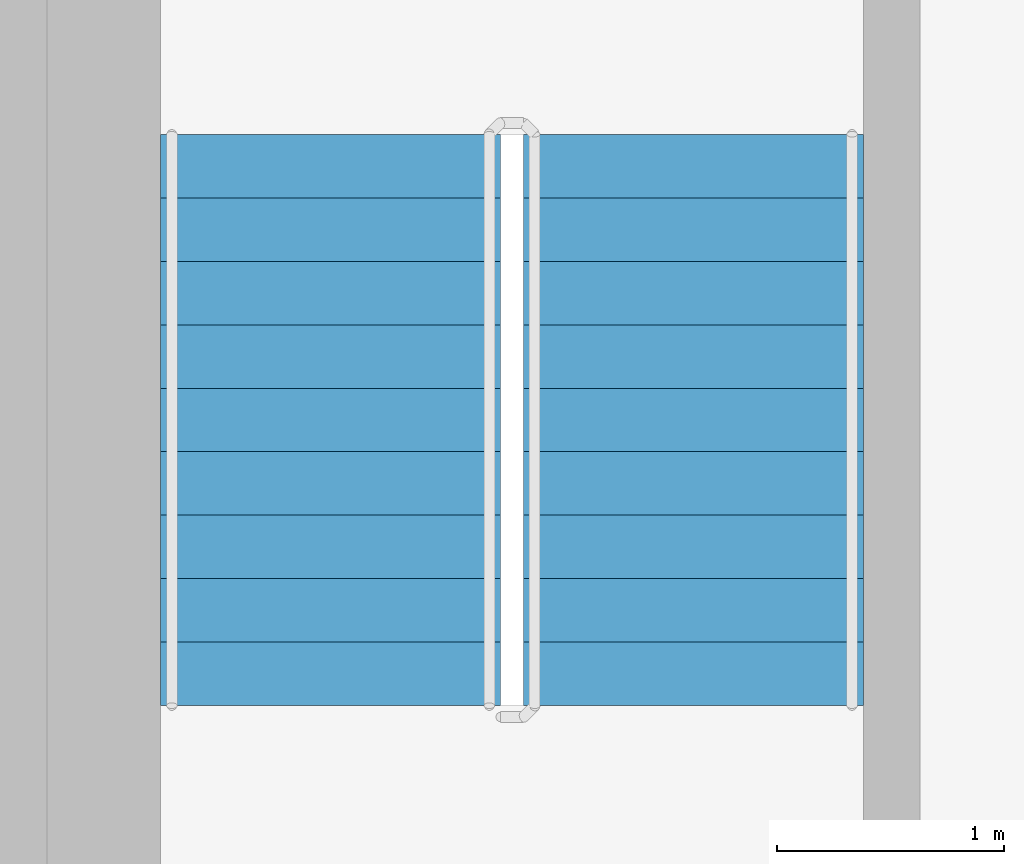
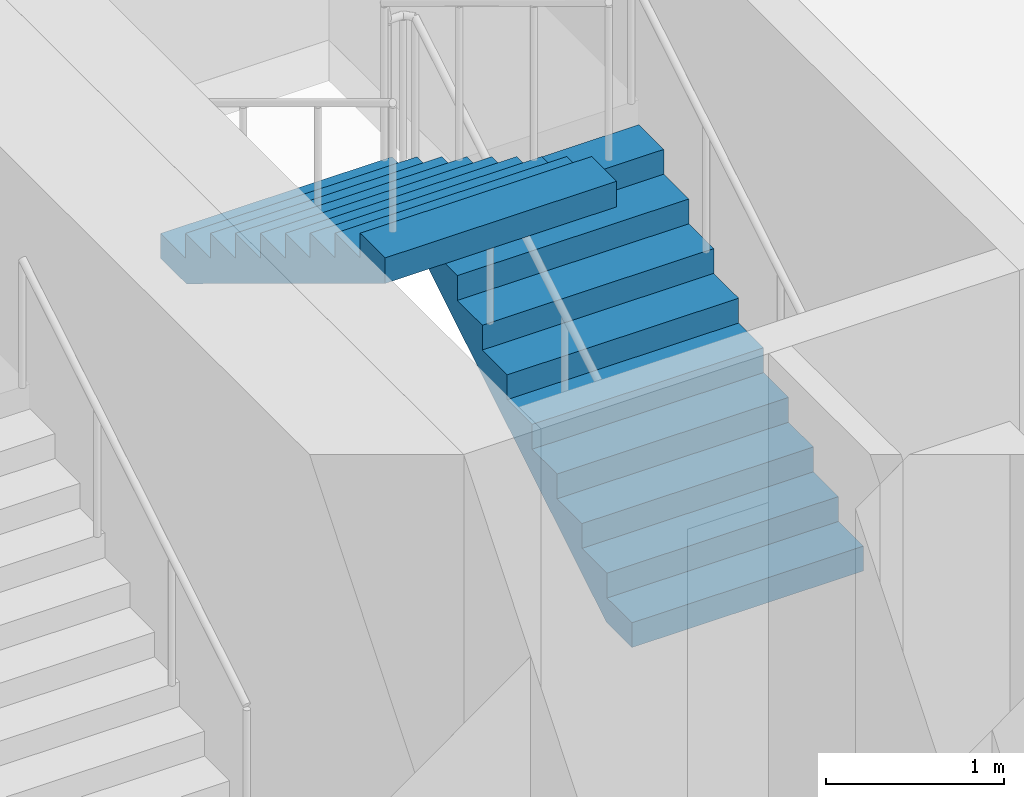
# One storey, part 13 of 21: 2 stair flights, 1 element without a shape of its own.
"""IFC4 building model written with IfcOpenShell, lengths in metres."""

from ifc_helpers import new_model, si_unit, direction, frame, origin, place, context, subcontext, project, spatial, triangles, source, transform, mapped, material, type_object, element, aggregate, save


model = new_model("IFC4")

# Units and contexts
model_context = context("Model", 3, precision=1e-05, world=origin(), true_north=direction((0.0, 1.0)))
body_context = subcontext(model_context, "Body", "Model", "MODEL_VIEW")
ifc_project = project(units=[si_unit("LENGTHUNIT", "METRE"), si_unit("AREAUNIT", "SQUARE_METRE"), si_unit("VOLUMEUNIT", "CUBIC_METRE"), si_unit("PLANEANGLEUNIT", "RADIAN"), si_unit("MASSUNIT", "GRAM", prefix="KILO")], contexts=[model_context])

# Site, building, storey
site_placement = place(None, origin())
site = spatial("IfcSite", under=ifc_project, at=site_placement, CompositionType="ELEMENT")
building_placement = place(site_placement, origin())
building = spatial("IfcBuilding", under=site, at=building_placement, Name="Kilnfold Tower and Market Hall", CompositionType="ELEMENT")
storey_placement = place(building_placement, frame((0.0, 0.0, 210.10009765625)))
storey = spatial("IfcBuildingStorey", under=building, at=storey_placement, Name="L51", CompositionType="ELEMENT", Elevation=210.10009765625)

# Stair, stair flights
ifc_material_1 = material(Name="Concrete C40/50", Category="concrete")
stair_type = type_object("IfcStairType", Name="CORE STAIR 1500", PredefinedType="HALF_TURN_STAIR", material=ifc_material_1)
stair_placement = place(storey_placement, origin())
stair = element("IfcStair", 1, at=stair_placement, inside=storey, type_object=stair_type, Name="L51 ST5", PredefinedType="HALF_TURN_STAIR")
ifc_material_2 = material(Name="Concrete C40/50", Category="concrete")
stair_flight_type = type_object("IfcStairFlightType", Name="CORE STAIR FLIGHT 1500", PredefinedType="STRAIGHT", material=ifc_material_2)
shared_shape = source(origin(), body_context, "Body", "Tessellation", [
    triangles([(0.0, 0.75, 0.0), (0.0, 0.65625, 0.0), (0.0, 0.5625, 0.0), (0.0, 0.46875, 0.0), (0.0, 0.375, 0.0), (0.0, 0.28125, 0.0), (0.0, 0.1875, 0.0), (0.0, 0.09375, 0.0), (0.0, 0.0, 0.0), (0.0, -0.09375, 0.0), (0.0, -0.1875, 0.0), (0.0, -0.28125, 0.0), (0.0, -0.375, 0.0), (0.0, -0.46875, 0.0), (0.0, -0.5625, 0.0), (0.0, -0.65625, 0.0), (0.0, -0.75, 0.0), (0.0, 0.75, 0.169921875), (0.0, 0.65625, 0.169921875), (0.0, 0.5625, 0.169921875), (0.0, 0.46875, 0.169921875), (0.0, 0.375, 0.169921875), (0.0, 0.28125, 0.169921875), (0.0, 0.1875, 0.169921875), (0.0, 0.09375, 0.169921875), (0.0, 0.0, 0.169921875), (0.0, -0.09375, 0.169921875), (0.0, -0.1875, 0.169921875), (0.0, -0.28125, 0.169921875), (0.0, -0.375, 0.169921875), (0.0, -0.46875, 0.169921875), (0.0, -0.5625, 0.169921875), (0.0, -0.65625, 0.169921875), (0.0, -0.75, 0.169921875), (0.280029296875, 0.75, 0.169921875), (0.280029296875, 0.65625, 0.169921875), (0.280029296875, 0.5625, 0.169921875), (0.280029296875, 0.46875, 0.169921875), (0.280029296875, 0.375, 0.169921875), (0.280029296875, 0.28125, 0.169921875), (0.280029296875, 0.1875, 0.169921875), (0.280029296875, 0.09375, 0.169921875), (0.280029296875, 0.0, 0.169921875), (0.280029296875, -0.09375, 0.169921875), (0.280029296875, -0.1875, 0.169921875), (0.280029296875, -0.28125, 0.169921875), (0.280029296875, -0.375, 0.169921875), (0.280029296875, -0.46875, 0.169921875), (0.280029296875, -0.5625, 0.169921875), (0.280029296875, -0.65625, 0.169921875), (0.280029296875, -0.75, 0.169921875), (0.280029296875, 0.75, 0.340087890625), (0.280029296875, 0.65625, 0.340087890625), (0.280029296875, 0.5625, 0.340087890625), (0.280029296875, 0.46875, 0.340087890625), (0.280029296875, 0.375, 0.340087890625), (0.280029296875, 0.28125, 0.340087890625), (0.280029296875, 0.1875, 0.340087890625), (0.280029296875, 0.09375, 0.340087890625), (0.280029296875, 0.0, 0.340087890625), (0.280029296875, -0.09375, 0.340087890625), (0.280029296875, -0.1875, 0.340087890625), (0.280029296875, -0.28125, 0.340087890625), (0.280029296875, -0.375, 0.340087890625), (0.280029296875, -0.46875, 0.340087890625), (0.280029296875, -0.5625, 0.340087890625), (0.280029296875, -0.65625, 0.340087890625), (0.280029296875, -0.75, 0.340087890625), (0.56005859375, 0.75, 0.340087890625), (0.56005859375, 0.65625, 0.340087890625), (0.56005859375, 0.5625, 0.340087890625), (0.56005859375, 0.46875, 0.340087890625), (0.56005859375, 0.375, 0.340087890625), (0.56005859375, 0.28125, 0.340087890625), (0.56005859375, 0.1875, 0.340087890625), (0.56005859375, 0.09375, 0.340087890625), (0.56005859375, 0.0, 0.340087890625), (0.56005859375, -0.09375, 0.340087890625), (0.56005859375, -0.1875, 0.340087890625), (0.56005859375, -0.28125, 0.340087890625), (0.56005859375, -0.375, 0.340087890625), (0.56005859375, -0.46875, 0.340087890625), (0.56005859375, -0.5625, 0.340087890625), (0.56005859375, -0.65625, 0.340087890625), (0.56005859375, -0.75, 0.340087890625), (0.56005859375, 0.75, 0.510009765625), (0.56005859375, 0.65625, 0.510009765625), (0.56005859375, 0.5625, 0.510009765625), (0.56005859375, 0.46875, 0.510009765625), (0.56005859375, 0.375, 0.510009765625), (0.56005859375, 0.28125, 0.510009765625), (0.56005859375, 0.1875, 0.510009765625), (0.56005859375, 0.09375, 0.510009765625), (0.56005859375, 0.0, 0.510009765625), (0.56005859375, -0.09375, 0.510009765625), (0.56005859375, -0.1875, 0.510009765625), (0.56005859375, -0.28125, 0.510009765625), (0.56005859375, -0.375, 0.510009765625), (0.56005859375, -0.46875, 0.510009765625), (0.56005859375, -0.5625, 0.510009765625), (0.56005859375, -0.65625, 0.510009765625), (0.56005859375, -0.75, 0.510009765625), (0.840087890625, 0.75, 0.510009765625), (0.840087890625, 0.65625, 0.510009765625), (0.840087890625, 0.5625, 0.510009765625), (0.840087890625, 0.46875, 0.510009765625), (0.840087890625, 0.375, 0.510009765625), (0.840087890625, 0.28125, 0.510009765625), (0.840087890625, 0.1875, 0.510009765625), (0.840087890625, 0.09375, 0.510009765625), (0.840087890625, 0.0, 0.510009765625), (0.840087890625, -0.09375, 0.510009765625), (0.840087890625, -0.1875, 0.510009765625), (0.840087890625, -0.28125, 0.510009765625), (0.840087890625, -0.375, 0.510009765625), (0.840087890625, -0.46875, 0.510009765625), (0.840087890625, -0.5625, 0.510009765625), (0.840087890625, -0.65625, 0.510009765625), (0.840087890625, -0.75, 0.510009765625), (0.840087890625, 0.75, 0.679931640625), (0.840087890625, 0.65625, 0.679931640625), (0.840087890625, 0.5625, 0.679931640625), (0.840087890625, 0.46875, 0.679931640625), (0.840087890625, 0.375, 0.679931640625), (0.840087890625, 0.28125, 0.679931640625), (0.840087890625, 0.1875, 0.679931640625), (0.840087890625, 0.09375, 0.679931640625), (0.840087890625, 0.0, 0.679931640625), (0.840087890625, -0.09375, 0.679931640625), (0.840087890625, -0.1875, 0.679931640625), (0.840087890625, -0.28125, 0.679931640625), (0.840087890625, -0.375, 0.679931640625), (0.840087890625, -0.46875, 0.679931640625), (0.840087890625, -0.5625, 0.679931640625), (0.840087890625, -0.65625, 0.679931640625), (0.840087890625, -0.75, 0.679931640625), (1.1201171875, 0.75, 0.679931640625), (1.1201171875, 0.65625, 0.679931640625), (1.1201171875, 0.5625, 0.679931640625), (1.1201171875, 0.46875, 0.679931640625), (1.1201171875, 0.375, 0.679931640625), (1.1201171875, 0.28125, 0.679931640625), (1.1201171875, 0.1875, 0.679931640625), (1.1201171875, 0.09375, 0.679931640625), (1.1201171875, 0.0, 0.679931640625), (1.1201171875, -0.09375, 0.679931640625), (1.1201171875, -0.1875, 0.679931640625), (1.1201171875, -0.28125, 0.679931640625), (1.1201171875, -0.375, 0.679931640625), (1.1201171875, -0.46875, 0.679931640625), (1.1201171875, -0.5625, 0.679931640625), (1.1201171875, -0.65625, 0.679931640625), (1.1201171875, -0.75, 0.679931640625), (1.1201171875, 0.75, 0.85009765625), (1.1201171875, 0.65625, 0.85009765625), (1.1201171875, 0.5625, 0.85009765625), (1.1201171875, 0.46875, 0.85009765625), (1.1201171875, 0.375, 0.85009765625), (1.1201171875, 0.28125, 0.85009765625), (1.1201171875, 0.1875, 0.85009765625), (1.1201171875, 0.09375, 0.85009765625), (1.1201171875, 0.0, 0.85009765625), (1.1201171875, -0.09375, 0.85009765625), (1.1201171875, -0.1875, 0.85009765625), (1.1201171875, -0.28125, 0.85009765625), (1.1201171875, -0.375, 0.85009765625), (1.1201171875, -0.46875, 0.85009765625), (1.1201171875, -0.5625, 0.85009765625), (1.1201171875, -0.65625, 0.85009765625), (1.1201171875, -0.75, 0.85009765625), (1.39990234375, 0.75, 0.85009765625), (1.39990234375, 0.65625, 0.85009765625), (1.39990234375, 0.5625, 0.85009765625), (1.39990234375, 0.46875, 0.85009765625), (1.39990234375, 0.375, 0.85009765625), (1.39990234375, 0.28125, 0.85009765625), (1.39990234375, 0.1875, 0.85009765625), (1.39990234375, 0.09375, 0.85009765625), (1.39990234375, 0.0, 0.85009765625), (1.39990234375, -0.09375, 0.85009765625), (1.39990234375, -0.1875, 0.85009765625), (1.39990234375, -0.28125, 0.85009765625), (1.39990234375, -0.375, 0.85009765625), (1.39990234375, -0.46875, 0.85009765625), (1.39990234375, -0.5625, 0.85009765625), (1.39990234375, -0.65625, 0.85009765625), (1.39990234375, -0.75, 0.85009765625), (1.39990234375, 0.75, 1.02001953125), (1.39990234375, 0.65625, 1.02001953125), (1.39990234375, 0.5625, 1.02001953125), (1.39990234375, 0.46875, 1.02001953125), (1.39990234375, 0.375, 1.02001953125), (1.39990234375, 0.28125, 1.02001953125), (1.39990234375, 0.1875, 1.02001953125), (1.39990234375, 0.09375, 1.02001953125), (1.39990234375, 0.0, 1.02001953125), (1.39990234375, -0.09375, 1.02001953125), (1.39990234375, -0.1875, 1.02001953125), (1.39990234375, -0.28125, 1.02001953125), (1.39990234375, -0.375, 1.02001953125), (1.39990234375, -0.46875, 1.02001953125), (1.39990234375, -0.5625, 1.02001953125), (1.39990234375, -0.65625, 1.02001953125), (1.39990234375, -0.75, 1.02001953125), (1.679931640625, 0.75, 1.02001953125), (1.679931640625, 0.65625, 1.02001953125), (1.679931640625, 0.5625, 1.02001953125), (1.679931640625, 0.46875, 1.02001953125), (1.679931640625, 0.375, 1.02001953125), (1.679931640625, 0.28125, 1.02001953125), (1.679931640625, 0.1875, 1.02001953125), (1.679931640625, 0.09375, 1.02001953125), (1.679931640625, 0.0, 1.02001953125), (1.679931640625, -0.09375, 1.02001953125), (1.679931640625, -0.1875, 1.02001953125), (1.679931640625, -0.28125, 1.02001953125), (1.679931640625, -0.375, 1.02001953125), (1.679931640625, -0.46875, 1.02001953125), (1.679931640625, -0.5625, 1.02001953125), (1.679931640625, -0.65625, 1.02001953125), (1.679931640625, -0.75, 1.02001953125), (1.679931640625, 0.75, 1.18994140625), (1.679931640625, 0.65625, 1.18994140625), (1.679931640625, 0.5625, 1.18994140625), (1.679931640625, 0.46875, 1.18994140625), (1.679931640625, 0.375, 1.18994140625), (1.679931640625, 0.28125, 1.18994140625), (1.679931640625, 0.1875, 1.18994140625), (1.679931640625, 0.09375, 1.18994140625), (1.679931640625, 0.0, 1.18994140625), (1.679931640625, -0.09375, 1.18994140625), (1.679931640625, -0.1875, 1.18994140625), (1.679931640625, -0.28125, 1.18994140625), (1.679931640625, -0.375, 1.18994140625), (1.679931640625, -0.46875, 1.18994140625), (1.679931640625, -0.5625, 1.18994140625), (1.679931640625, -0.65625, 1.18994140625), (1.679931640625, -0.75, 1.18994140625), (1.9599609375, 0.75, 1.18994140625), (1.9599609375, 0.65625, 1.18994140625), (1.9599609375, 0.5625, 1.18994140625), (1.9599609375, 0.46875, 1.18994140625), (1.9599609375, 0.375, 1.18994140625), (1.9599609375, 0.28125, 1.18994140625), (1.9599609375, 0.1875, 1.18994140625), (1.9599609375, 0.09375, 1.18994140625), (1.9599609375, 0.0, 1.18994140625), (1.9599609375, -0.09375, 1.18994140625), (1.9599609375, -0.1875, 1.18994140625), (1.9599609375, -0.28125, 1.18994140625), (1.9599609375, -0.375, 1.18994140625), (1.9599609375, -0.46875, 1.18994140625), (1.9599609375, -0.5625, 1.18994140625), (1.9599609375, -0.65625, 1.18994140625), (1.9599609375, -0.75, 1.18994140625), (1.9599609375, 0.75, 1.360107421875), (1.9599609375, 0.65625, 1.360107421875), (1.9599609375, 0.5625, 1.360107421875), (1.9599609375, 0.46875, 1.360107421875), (1.9599609375, 0.375, 1.360107421875), (1.9599609375, 0.28125, 1.360107421875), (1.9599609375, 0.1875, 1.360107421875), (1.9599609375, 0.09375, 1.360107421875), (1.9599609375, 0.0, 1.360107421875), (1.9599609375, -0.09375, 1.360107421875), (1.9599609375, -0.1875, 1.360107421875), (1.9599609375, -0.28125, 1.360107421875), (1.9599609375, -0.375, 1.360107421875), (1.9599609375, -0.46875, 1.360107421875), (1.9599609375, -0.5625, 1.360107421875), (1.9599609375, -0.65625, 1.360107421875), (1.9599609375, -0.75, 1.360107421875), (2.239990234375, 0.75, 1.360107421875), (2.239990234375, 0.65625, 1.360107421875), (2.239990234375, 0.5625, 1.360107421875), (2.239990234375, 0.46875, 1.360107421875), (2.239990234375, 0.375, 1.360107421875), (2.239990234375, 0.28125, 1.360107421875), (2.239990234375, 0.1875, 1.360107421875), (2.239990234375, 0.09375, 1.360107421875), (2.239990234375, 0.0, 1.360107421875), (2.239990234375, -0.09375, 1.360107421875), (2.239990234375, -0.1875, 1.360107421875), (2.239990234375, -0.28125, 1.360107421875), (2.239990234375, -0.375, 1.360107421875), (2.239990234375, -0.46875, 1.360107421875), (2.239990234375, -0.5625, 1.360107421875), (2.239990234375, -0.65625, 1.360107421875), (2.239990234375, -0.75, 1.360107421875), (2.239990234375, 0.75, 1.530029296875), (2.239990234375, 0.65625, 1.530029296875), (2.239990234375, 0.5625, 1.530029296875), (2.239990234375, 0.46875, 1.530029296875), (2.239990234375, 0.375, 1.530029296875), (2.239990234375, 0.28125, 1.530029296875), (2.239990234375, 0.1875, 1.530029296875), (2.239990234375, 0.09375, 1.530029296875), (2.239990234375, 0.0, 1.530029296875), (2.239990234375, -0.09375, 1.530029296875), (2.239990234375, -0.1875, 1.530029296875), (2.239990234375, -0.28125, 1.530029296875), (2.239990234375, -0.375, 1.530029296875), (2.239990234375, -0.46875, 1.530029296875), (2.239990234375, -0.5625, 1.530029296875), (2.239990234375, -0.65625, 1.530029296875), (2.239990234375, -0.75, 1.530029296875), (2.52001953125, 0.75, 1.530029296875), (2.52001953125, 0.65625, 1.530029296875), (2.52001953125, 0.5625, 1.530029296875), (2.52001953125, 0.46875, 1.530029296875), (2.52001953125, 0.375, 1.530029296875), (2.52001953125, 0.28125, 1.530029296875), (2.52001953125, 0.1875, 1.530029296875), (2.52001953125, 0.09375, 1.530029296875), (2.52001953125, 0.0, 1.530029296875), (2.52001953125, -0.09375, 1.530029296875), (2.52001953125, -0.1875, 1.530029296875), (2.52001953125, -0.28125, 1.530029296875), (2.52001953125, -0.375, 1.530029296875), (2.52001953125, -0.46875, 1.530029296875), (2.52001953125, -0.5625, 1.530029296875), (2.52001953125, -0.65625, 1.530029296875), (2.52001953125, -0.75, 1.530029296875), (2.52001953125, 0.75, 1.354736328125), (2.52001953125, 0.65625, 1.354736328125), (2.52001953125, 0.5625, 1.354736328125), (2.52001953125, 0.46875, 1.354736328125), (2.52001953125, 0.375, 1.354736328125), (2.52001953125, 0.28125, 1.354736328125), (2.52001953125, 0.1875, 1.354736328125), (2.52001953125, 0.09375, 1.354736328125), (2.52001953125, 0.0, 1.354736328125), (2.52001953125, -0.09375, 1.354736328125), (2.52001953125, -0.1875, 1.354736328125), (2.52001953125, -0.28125, 1.354736328125), (2.52001953125, -0.375, 1.354736328125), (2.52001953125, -0.46875, 1.354736328125), (2.52001953125, -0.5625, 1.354736328125), (2.52001953125, -0.65625, 1.354736328125), (2.52001953125, -0.75, 1.354736328125), (0.288818359375, 0.75, 0.0), (0.288818359375, 0.65625, 0.0), (0.288818359375, 0.5625, 0.0), (0.288818359375, 0.46875, 0.0), (0.288818359375, 0.375, 0.0), (0.288818359375, 0.28125, 0.0), (0.288818359375, 0.1875, 0.0), (0.288818359375, 0.09375, 0.0), (0.288818359375, 0.0, 0.0), (0.288818359375, -0.09375, 0.0), (0.288818359375, -0.1875, 0.0), (0.288818359375, -0.28125, 0.0), (0.288818359375, -0.375, 0.0), (0.288818359375, -0.46875, 0.0), (0.288818359375, -0.5625, 0.0), (0.288818359375, -0.65625, 0.0), (0.288818359375, -0.75, 0.0)], [[1, 324, 341], [17, 357, 340], [324, 290, 307], [340, 323, 306], [324, 273, 290], [340, 306, 289], [324, 256, 273], [340, 289, 272], [324, 239, 256], [340, 272, 255], [239, 205, 222], [255, 238, 221], [324, 205, 239], [340, 255, 221], [205, 171, 188], [221, 204, 187], [324, 171, 205], [340, 221, 187], [171, 137, 154], [187, 170, 153], [324, 137, 171], [340, 187, 153], [137, 103, 120], [153, 136, 119], [324, 103, 137], [340, 153, 119], [103, 69, 86], [119, 102, 85], [324, 69, 103], [340, 119, 85], [69, 35, 52], [85, 68, 51], [324, 35, 69], [340, 85, 51], [1, 35, 324], [17, 340, 51], [35, 1, 18], [51, 34, 17], [1, 19, 18], [1, 2, 19], [2, 20, 19], [2, 3, 20], [3, 21, 20], [3, 4, 21], [4, 22, 21], [4, 5, 22], [5, 23, 22], [5, 6, 23], [6, 24, 23], [6, 7, 24], [7, 25, 24], [7, 8, 25], [8, 26, 25], [8, 9, 26], [9, 27, 26], [9, 10, 27], [10, 28, 27], [10, 11, 28], [11, 29, 28], [11, 12, 29], [12, 30, 29], [12, 13, 30], [13, 31, 30], [13, 14, 31], [14, 32, 31], [14, 15, 32], [15, 33, 32], [15, 16, 33], [16, 34, 33], [16, 17, 34], [18, 36, 35], [18, 19, 36], [19, 37, 36], [19, 20, 37], [20, 38, 37], [20, 21, 38], [21, 39, 38], [21, 22, 39], [22, 40, 39], [22, 23, 40], [23, 41, 40], [23, 24, 41], [24, 42, 41], [24, 25, 42], [25, 43, 42], [25, 26, 43], [26, 44, 43], [26, 27, 44], [27, 45, 44], [27, 28, 45], [28, 46, 45], [28, 29, 46], [29, 47, 46], [29, 30, 47], [30, 48, 47], [30, 31, 48], [31, 49, 48], [31, 32, 49], [32, 50, 49], [32, 33, 50], [33, 51, 50], [33, 34, 51], [35, 53, 52], [35, 36, 53], [36, 54, 53], [36, 37, 54], [37, 55, 54], [37, 38, 55], [38, 56, 55], [38, 39, 56], [39, 57, 56], [39, 40, 57], [40, 58, 57], [40, 41, 58], [41, 59, 58], [41, 42, 59], [42, 60, 59], [42, 43, 60], [43, 61, 60], [43, 44, 61], [44, 62, 61], [44, 45, 62], [45, 63, 62], [45, 46, 63], [46, 64, 63], [46, 47, 64], [47, 65, 64], [47, 48, 65], [48, 66, 65], [48, 49, 66], [49, 67, 66], [49, 50, 67], [50, 68, 67], [50, 51, 68], [52, 70, 69], [52, 53, 70], [53, 71, 70], [53, 54, 71], [54, 72, 71], [54, 55, 72], [55, 73, 72], [55, 56, 73], [56, 74, 73], [56, 57, 74], [57, 75, 74], [57, 58, 75], [58, 76, 75], [58, 59, 76], [59, 77, 76], [59, 60, 77], [60, 78, 77], [60, 61, 78], [61, 79, 78], [61, 62, 79], [62, 80, 79], [62, 63, 80], [63, 81, 80], [63, 64, 81], [64, 82, 81], [64, 65, 82], [65, 83, 82], [65, 66, 83], [66, 84, 83], [66, 67, 84], [67, 85, 84], [67, 68, 85], [69, 87, 86], [69, 70, 87], [70, 88, 87], [70, 71, 88], [71, 89, 88], [71, 72, 89], [72, 90, 89], [72, 73, 90], [73, 91, 90], [73, 74, 91], [74, 92, 91], [74, 75, 92], [75, 93, 92], [75, 76, 93], [76, 94, 93], [76, 77, 94], [77, 95, 94], [77, 78, 95], [78, 96, 95], [78, 79, 96], [79, 97, 96], [79, 80, 97], [80, 98, 97], [80, 81, 98], [81, 99, 98], [81, 82, 99], [82, 100, 99], [82, 83, 100], [83, 101, 100], [83, 84, 101], [84, 102, 101], [84, 85, 102], [86, 104, 103], [86, 87, 104], [87, 105, 104], [87, 88, 105], [88, 106, 105], [88, 89, 106], [89, 107, 106], [89, 90, 107], [90, 108, 107], [90, 91, 108], [91, 109, 108], [91, 92, 109], [92, 110, 109], [92, 93, 110], [93, 111, 110], [93, 94, 111], [94, 112, 111], [94, 95, 112], [95, 113, 112], [95, 96, 113], [96, 114, 113], [96, 97, 114], [97, 115, 114], [97, 98, 115], [98, 116, 115], [98, 99, 116], [99, 117, 116], [99, 100, 117], [100, 118, 117], [100, 101, 118], [101, 119, 118], [101, 102, 119], [103, 121, 120], [103, 104, 121], [104, 122, 121], [104, 105, 122], [105, 123, 122], [105, 106, 123], [106, 124, 123], [106, 107, 124], [107, 125, 124], [107, 108, 125], [108, 126, 125], [108, 109, 126], [109, 127, 126], [109, 110, 127], [110, 128, 127], [110, 111, 128], [111, 129, 128], [111, 112, 129], [112, 130, 129], [112, 113, 130], [113, 131, 130], [113, 114, 131], [114, 132, 131], [114, 115, 132], [115, 133, 132], [115, 116, 133], [116, 134, 133], [116, 117, 134], [117, 135, 134], [117, 118, 135], [118, 136, 135], [118, 119, 136], [120, 138, 137], [120, 121, 138], [121, 139, 138], [121, 122, 139], [122, 140, 139], [122, 123, 140], [123, 141, 140], [123, 124, 141], [124, 142, 141], [124, 125, 142], [125, 143, 142], [125, 126, 143], [126, 144, 143], [126, 127, 144], [127, 145, 144], [127, 128, 145], [128, 146, 145], [128, 129, 146], [129, 147, 146], [129, 130, 147], [130, 148, 147], [130, 131, 148], [131, 149, 148], [131, 132, 149], [132, 150, 149], [132, 133, 150], [133, 151, 150], [133, 134, 151], [134, 152, 151], [134, 135, 152], [135, 153, 152], [135, 136, 153], [137, 155, 154], [137, 138, 155], [138, 156, 155], [138, 139, 156], [139, 157, 156], [139, 140, 157], [140, 158, 157], [140, 141, 158], [141, 159, 158], [141, 142, 159], [142, 160, 159], [142, 143, 160], [143, 161, 160], [143, 144, 161], [144, 162, 161], [144, 145, 162], [145, 163, 162], [145, 146, 163], [146, 164, 163], [146, 147, 164], [147, 165, 164], [147, 148, 165], [148, 166, 165], [148, 149, 166], [149, 167, 166], [149, 150, 167], [150, 168, 167], [150, 151, 168], [151, 169, 168], [151, 152, 169], [152, 170, 169], [152, 153, 170], [154, 172, 171], [154, 155, 172], [155, 173, 172], [155, 156, 173], [156, 174, 173], [156, 157, 174], [157, 175, 174], [157, 158, 175], [158, 176, 175], [158, 159, 176], [159, 177, 176], [159, 160, 177], [160, 178, 177], [160, 161, 178], [161, 179, 178], [161, 162, 179], [162, 180, 179], [162, 163, 180], [163, 181, 180], [163, 164, 181], [164, 182, 181], [164, 165, 182], [165, 183, 182], [165, 166, 183], [166, 184, 183], [166, 167, 184], [167, 185, 184], [167, 168, 185], [168, 186, 185], [168, 169, 186], [169, 187, 186], [169, 170, 187], [171, 189, 188], [171, 172, 189], [172, 190, 189], [172, 173, 190], [173, 191, 190], [173, 174, 191], [174, 192, 191], [174, 175, 192], [175, 193, 192], [175, 176, 193], [176, 194, 193], [176, 177, 194], [177, 195, 194], [177, 178, 195], [178, 196, 195], [178, 179, 196], [179, 197, 196], [179, 180, 197], [180, 198, 197], [180, 181, 198], [181, 199, 198], [181, 182, 199], [182, 200, 199], [182, 183, 200], [183, 201, 200], [183, 184, 201], [184, 202, 201], [184, 185, 202], [185, 203, 202], [185, 186, 203], [186, 204, 203], [186, 187, 204], [188, 206, 205], [188, 189, 206], [189, 207, 206], [189, 190, 207], [190, 208, 207], [190, 191, 208], [191, 209, 208], [191, 192, 209], [192, 210, 209], [192, 193, 210], [193, 211, 210], [193, 194, 211], [194, 212, 211], [194, 195, 212], [195, 213, 212], [195, 196, 213], [196, 214, 213], [196, 197, 214], [197, 215, 214], [197, 198, 215], [198, 216, 215], [198, 199, 216], [199, 217, 216], [199, 200, 217], [200, 218, 217], [200, 201, 218], [201, 219, 218], [201, 202, 219], [202, 220, 219], [202, 203, 220], [203, 221, 220], [203, 204, 221], [205, 223, 222], [205, 206, 223], [206, 224, 223], [206, 207, 224], [207, 225, 224], [207, 208, 225], [208, 226, 225], [208, 209, 226], [209, 227, 226], [209, 210, 227], [210, 228, 227], [210, 211, 228], [211, 229, 228], [211, 212, 229], [212, 230, 229], [212, 213, 230], [213, 231, 230], [213, 214, 231], [214, 232, 231], [214, 215, 232], [215, 233, 232], [215, 216, 233], [216, 234, 233], [216, 217, 234], [217, 235, 234], [217, 218, 235], [218, 236, 235], [218, 219, 236], [219, 237, 236], [219, 220, 237], [220, 238, 237], [220, 221, 238], [222, 240, 239], [222, 223, 240], [223, 241, 240], [223, 224, 241], [224, 242, 241], [224, 225, 242], [225, 243, 242], [225, 226, 243], [226, 244, 243], [226, 227, 244], [227, 245, 244], [227, 228, 245], [228, 246, 245], [228, 229, 246], [229, 247, 246], [229, 230, 247], [230, 248, 247], [230, 231, 248], [231, 249, 248], [231, 232, 249], [232, 250, 249], [232, 233, 250], [233, 251, 250], [233, 234, 251], [234, 252, 251], [234, 235, 252], [235, 253, 252], [235, 236, 253], [236, 254, 253], [236, 237, 254], [237, 255, 254], [237, 238, 255], [239, 257, 256], [239, 240, 257], [240, 258, 257], [240, 241, 258], [241, 259, 258], [241, 242, 259], [242, 260, 259], [242, 243, 260], [243, 261, 260], [243, 244, 261], [244, 262, 261], [244, 245, 262], [245, 263, 262], [245, 246, 263], [246, 264, 263], [246, 247, 264], [247, 265, 264], [247, 248, 265], [248, 266, 265], [248, 249, 266], [249, 267, 266], [249, 250, 267], [250, 268, 267], [250, 251, 268], [251, 269, 268], [251, 252, 269], [252, 270, 269], [252, 253, 270], [253, 271, 270], [253, 254, 271], [254, 272, 271], [254, 255, 272], [256, 274, 273], [256, 257, 274], [257, 275, 274], [257, 258, 275], [258, 276, 275], [258, 259, 276], [259, 277, 276], [259, 260, 277], [260, 278, 277], [260, 261, 278], [261, 279, 278], [261, 262, 279], [262, 280, 279], [262, 263, 280], [263, 281, 280], [263, 264, 281], [264, 282, 281], [264, 265, 282], [265, 283, 282], [265, 266, 283], [266, 284, 283], [266, 267, 284], [267, 285, 284], [267, 268, 285], [268, 286, 285], [268, 269, 286], [269, 287, 286], [269, 270, 287], [270, 288, 287], [270, 271, 288], [271, 289, 288], [271, 272, 289], [273, 291, 290], [273, 274, 291], [274, 292, 291], [274, 275, 292], [275, 293, 292], [275, 276, 293], [276, 294, 293], [276, 277, 294], [277, 295, 294], [277, 278, 295], [278, 296, 295], [278, 279, 296], [279, 297, 296], [279, 280, 297], [280, 298, 297], [280, 281, 298], [281, 299, 298], [281, 282, 299], [282, 300, 299], [282, 283, 300], [283, 301, 300], [283, 284, 301], [284, 302, 301], [284, 285, 302], [285, 303, 302], [285, 286, 303], [286, 304, 303], [286, 287, 304], [287, 305, 304], [287, 288, 305], [288, 306, 305], [288, 289, 306], [290, 308, 307], [290, 291, 308], [291, 309, 308], [291, 292, 309], [292, 310, 309], [292, 293, 310], [293, 311, 310], [293, 294, 311], [294, 312, 311], [294, 295, 312], [295, 313, 312], [295, 296, 313], [296, 314, 313], [296, 297, 314], [297, 315, 314], [297, 298, 315], [298, 316, 315], [298, 299, 316], [299, 317, 316], [299, 300, 317], [300, 318, 317], [300, 301, 318], [301, 319, 318], [301, 302, 319], [302, 320, 319], [302, 303, 320], [303, 321, 320], [303, 304, 321], [304, 322, 321], [304, 305, 322], [305, 323, 322], [305, 306, 323], [307, 325, 324], [307, 308, 325], [308, 326, 325], [308, 309, 326], [309, 327, 326], [309, 310, 327], [310, 328, 327], [310, 311, 328], [311, 329, 328], [311, 312, 329], [312, 330, 329], [312, 313, 330], [313, 331, 330], [313, 314, 331], [314, 332, 331], [314, 315, 332], [315, 333, 332], [315, 316, 333], [316, 334, 333], [316, 317, 334], [317, 335, 334], [317, 318, 335], [318, 336, 335], [318, 319, 336], [319, 337, 336], [319, 320, 337], [320, 338, 337], [320, 321, 338], [321, 339, 338], [321, 322, 339], [322, 340, 339], [322, 323, 340], [324, 342, 341], [324, 325, 342], [325, 343, 342], [325, 326, 343], [326, 344, 343], [326, 327, 344], [327, 345, 344], [327, 328, 345], [328, 346, 345], [328, 329, 346], [329, 347, 346], [329, 330, 347], [330, 348, 347], [330, 331, 348], [331, 349, 348], [331, 332, 349], [332, 350, 349], [332, 333, 350], [333, 351, 350], [333, 334, 351], [334, 352, 351], [334, 335, 352], [335, 353, 352], [335, 336, 353], [336, 354, 353], [336, 337, 354], [337, 355, 354], [337, 338, 355], [338, 356, 355], [338, 339, 356], [339, 357, 356], [339, 340, 357], [341, 2, 1], [341, 342, 2], [342, 3, 2], [342, 343, 3], [343, 4, 3], [343, 344, 4], [344, 5, 4], [344, 345, 5], [345, 6, 5], [345, 346, 6], [346, 7, 6], [346, 347, 7], [347, 8, 7], [347, 348, 8], [348, 9, 8], [348, 349, 9], [349, 10, 9], [349, 350, 10], [350, 11, 10], [350, 351, 11], [351, 12, 11], [351, 352, 12], [352, 13, 12], [352, 353, 13], [353, 14, 13], [353, 354, 14], [354, 15, 14], [354, 355, 15], [355, 16, 15], [355, 356, 16], [356, 17, 16], [356, 357, 17]], closed=True),
])
stair_flight_1_placement = place(storey_placement, frame((20.699951171875, 11.5, 0.0), z_axis=(0.0, 0.0, 1.0), x_axis=(0.0, 1.0, 0.0)))
stair_flight_1 = element("IfcStairFlight", 2, at=stair_flight_1_placement, type_object=stair_flight_type, Name="ST5 flight 1", NumberOfRisers=10, NumberOfTreads=9, PredefinedType="STRAIGHT", RiserHeight=0.17, TreadLength=0.28, context=body_context, shape_type="MappedRepresentation", body=[
    mapped(shared_shape, transform((0.0, 0.0, 0.0))),
])
stair_flight_2_placement = place(storey_placement, frame((19.10009765625, 14.02001953125, 1.699951171875), z_axis=(0.0, 0.0, 1.0), x_axis=(0.0, -1.0, 0.0)))
stair_flight_2 = element("IfcStairFlight", 3, at=stair_flight_2_placement, type_object=stair_flight_type, Name="ST5 flight 2", NumberOfRisers=10, NumberOfTreads=9, PredefinedType="STRAIGHT", RiserHeight=0.17, TreadLength=0.28, context=body_context, shape_type="MappedRepresentation", body=[
    mapped(shared_shape, transform((0.0, 0.0, 0.0))),
])
aggregate(stair, [stair_flight_1, stair_flight_2])

save(model, "model.ifc")
